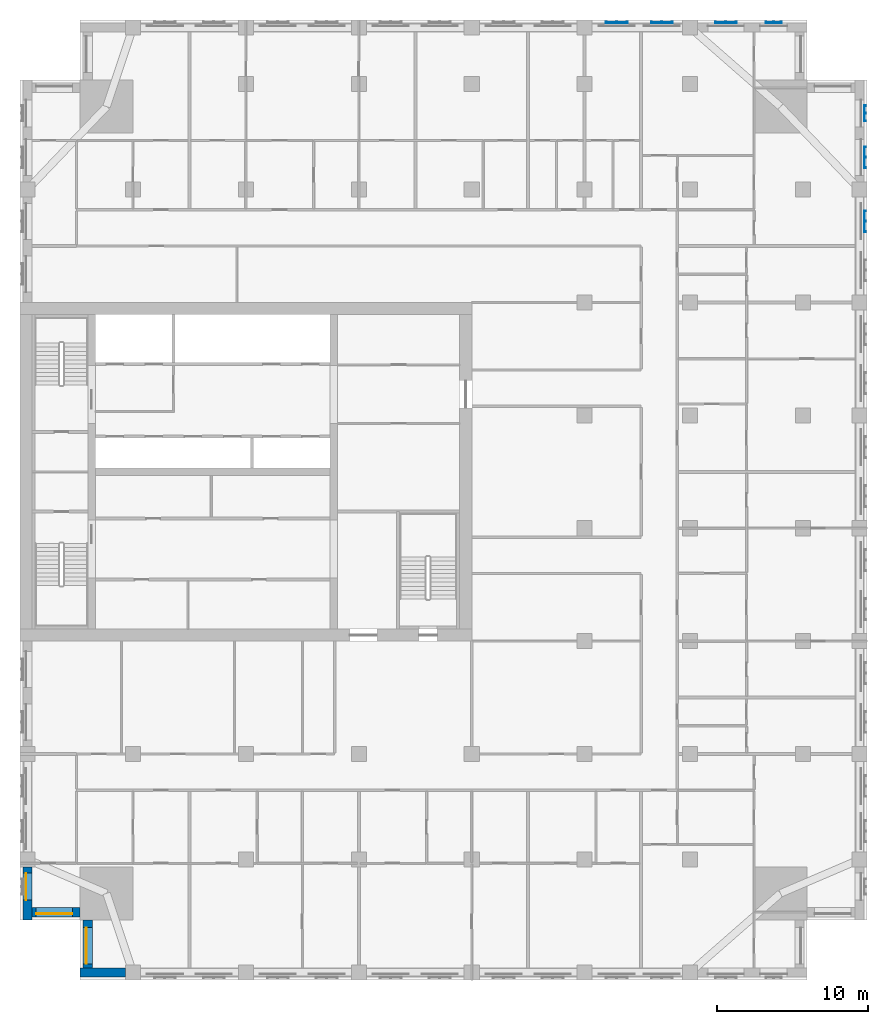
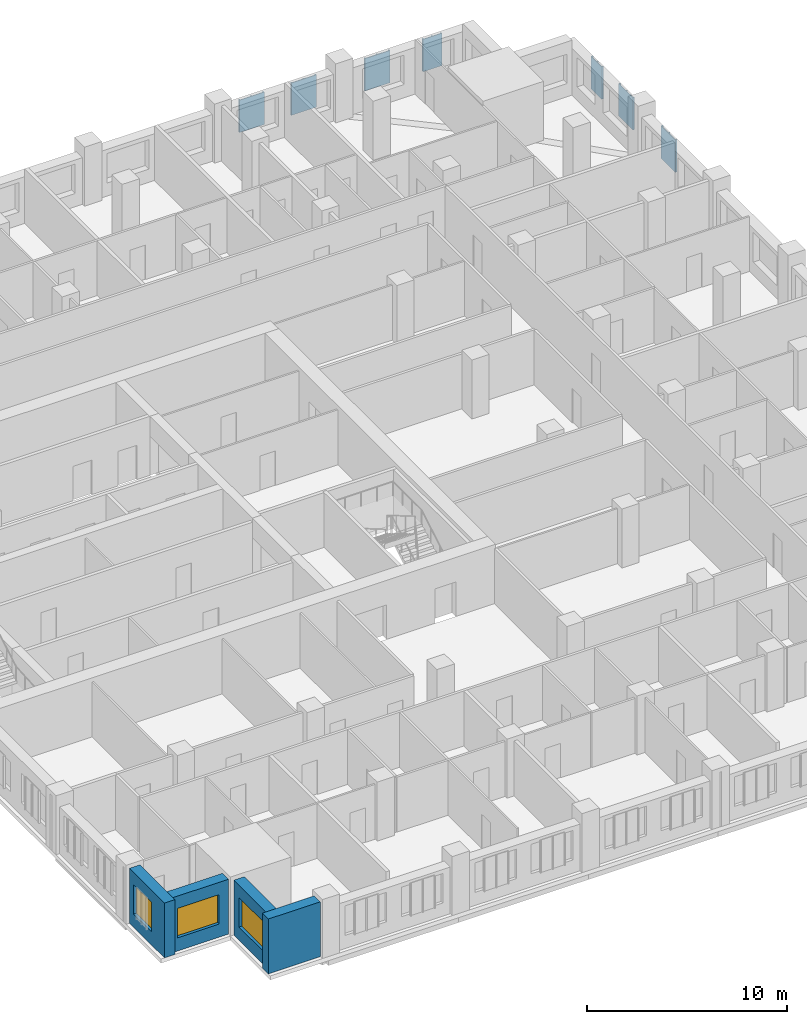
# One storey, part 3 of 14: 7 plates, 4 walls, 3 windows, 3 openings.
"""IFC4 building model written with IfcOpenShell, lengths in metres."""

from ifc_helpers import new_model, si_unit, direction, frame, frame_2d, origin, place, context, subcontext, project, spatial, polyline, rectangle, outline, extrude, material, layer, layer_set, type_object, element, fill, save


model = new_model("IFC4")

# Units and contexts
model_context = context("Model", 3, precision=1e-05, world=origin(), true_north=direction((0.0, 1.0)))
body_context = subcontext(model_context, "Body", "Model", "MODEL_VIEW")
ifc_project = project(units=[si_unit("LENGTHUNIT", "METRE"), si_unit("AREAUNIT", "SQUARE_METRE"), si_unit("VOLUMEUNIT", "CUBIC_METRE"), si_unit("PLANEANGLEUNIT", "RADIAN"), si_unit("MASSUNIT", "GRAM", prefix="KILO")], contexts=[model_context])

# Site, building, storey
site_placement = place(None, origin())
site = spatial("IfcSite", under=ifc_project, at=site_placement, CompositionType="ELEMENT")
building_placement = place(site_placement, origin())
building = spatial("IfcBuilding", under=site, at=building_placement, Name="Tamorin Gate", CompositionType="ELEMENT")
storey_placement = place(building_placement, frame((0.0, 0.0, 151.800048828125)))
storey = spatial("IfcBuildingStorey", under=building, at=storey_placement, Name="L37", CompositionType="ELEMENT", Elevation=151.800048828125)

# Plates
ifc_material_1 = material(Name="Perforated pale aluminium sheet", Category="aluminium")
ifc_layer_1 = layer(ifc_material_1, 0.0400390625)
ifc_layer_set_1 = layer_set([ifc_layer_1], Name="Pale metal solar screen 1080")
plate_type_1 = type_object("IfcPlateType", Name="Pale metal solar screen 1080", PredefinedType="SHEET", material=ifc_layer_set_1)
plate_1_placement = place(storey_placement, frame((0.0, 0.0, 0.7099609375)))
element("IfcPlate", 1, at=plate_1_placement, inside=storey, type_object=plate_type_1, Name="Perforated solar screen", PredefinedType="SHEET", context=body_context, shape_type="SweptSolid", body=[
    extrude(outline(polyline([(86.090087890625, 94.510009765625), (86.050048828125, 94.510009765625), (86.050048828125, 94.570068359375), (86.050048828125, 95.02001953125), (86.050048828125, 95.080078125), (86.050048828125, 95.530029296875), (86.050048828125, 95.590087890625), (86.090087890625, 95.590087890625), (86.14990234375, 95.590087890625), (86.14990234375, 95.530029296875), (86.090087890625, 95.530029296875), (86.090087890625, 95.080078125), (86.14990234375, 95.080078125), (86.14990234375, 95.02001953125), (86.090087890625, 95.02001953125), (86.090087890625, 94.570068359375), (86.14990234375, 94.570068359375), (86.14990234375, 94.510009765625), (86.090087890625, 94.510009765625)])), origin(), (0.0, 0.0, 1.0), 1.97998046875),
])
plate_2_placement = place(storey_placement, frame((0.0, 0.0, 0.7099609375)))
element("IfcPlate", 2, at=plate_2_placement, inside=storey, type_object=plate_type_1, Name="Perforated solar screen", PredefinedType="SHEET", context=body_context, shape_type="SweptSolid", body=[
    extrude(outline(polyline([(80.590087890625, 101.090087890625), (80.590087890625, 101.050048828125), (80.530029296875, 101.050048828125), (80.080078125, 101.050048828125), (80.02001953125, 101.050048828125), (79.570068359375, 101.050048828125), (79.510009765625, 101.050048828125), (79.510009765625, 101.090087890625), (79.510009765625, 101.14990234375), (79.570068359375, 101.14990234375), (79.570068359375, 101.090087890625), (80.02001953125, 101.090087890625), (80.02001953125, 101.14990234375), (80.080078125, 101.14990234375), (80.080078125, 101.090087890625), (80.530029296875, 101.090087890625), (80.530029296875, 101.14990234375), (80.590087890625, 101.14990234375), (80.590087890625, 101.090087890625)])), origin(), (0.0, 0.0, 1.0), 1.97998046875),
])
ifc_layer_2 = layer(ifc_material_1, 0.0400390625)
ifc_layer_set_2 = layer_set([ifc_layer_2], Name="Pale metal solar screen 1440")
plate_type_2 = type_object("IfcPlateType", Name="Pale metal solar screen 1440", PredefinedType="SHEET", material=ifc_layer_set_2)
plate_3_placement = place(storey_placement, frame((0.0, 0.0, 0.7099609375)))
element("IfcPlate", 3, at=plate_3_placement, inside=storey, type_object=plate_type_2, Name="Perforated solar screen", PredefinedType="SHEET", context=body_context, shape_type="SweptSolid", body=[
    extrude(outline(polyline([(86.090087890625, 87.155029296875), (86.050048828125, 87.155029296875), (86.050048828125, 87.215087890625), (86.050048828125, 87.844970703125), (86.050048828125, 87.905029296875), (86.050048828125, 88.534912109375), (86.050048828125, 88.594970703125), (86.090087890625, 88.594970703125), (86.14990234375, 88.594970703125), (86.14990234375, 88.534912109375), (86.090087890625, 88.534912109375), (86.090087890625, 87.905029296875), (86.14990234375, 87.905029296875), (86.14990234375, 87.844970703125), (86.090087890625, 87.844970703125), (86.090087890625, 87.215087890625), (86.14990234375, 87.215087890625), (86.14990234375, 87.155029296875), (86.090087890625, 87.155029296875)])), origin(), (0.0, 0.0, 1.0), 1.97998046875),
])
plate_4_placement = place(storey_placement, frame((0.0, 0.0, 0.7099609375)))
element("IfcPlate", 4, at=plate_4_placement, inside=storey, type_object=plate_type_2, Name="Perforated solar screen", PredefinedType="SHEET", context=body_context, shape_type="SweptSolid", body=[
    extrude(outline(polyline([(86.090087890625, 91.405029296875), (86.050048828125, 91.405029296875), (86.050048828125, 91.465087890625), (86.050048828125, 92.094970703125), (86.050048828125, 92.155029296875), (86.050048828125, 92.784912109375), (86.050048828125, 92.844970703125), (86.090087890625, 92.844970703125), (86.14990234375, 92.844970703125), (86.14990234375, 92.784912109375), (86.090087890625, 92.784912109375), (86.090087890625, 92.155029296875), (86.14990234375, 92.155029296875), (86.14990234375, 92.094970703125), (86.090087890625, 92.094970703125), (86.090087890625, 91.465087890625), (86.14990234375, 91.465087890625), (86.14990234375, 91.405029296875), (86.090087890625, 91.405029296875)])), origin(), (0.0, 0.0, 1.0), 1.97998046875),
])
plate_5_placement = place(storey_placement, frame((0.0, 0.0, 0.7099609375)))
element("IfcPlate", 5, at=plate_5_placement, inside=storey, type_object=plate_type_2, Name="Perforated solar screen", PredefinedType="SHEET", context=body_context, shape_type="SweptSolid", body=[
    extrude(outline(polyline([(77.594970703125, 101.090087890625), (77.594970703125, 101.050048828125), (77.534912109375, 101.050048828125), (76.905029296875, 101.050048828125), (76.844970703125, 101.050048828125), (76.215087890625, 101.050048828125), (76.155029296875, 101.050048828125), (76.155029296875, 101.050048828125), (76.155029296875, 101.090087890625), (76.155029296875, 101.090087890625), (76.155029296875, 101.14990234375), (76.215087890625, 101.14990234375), (76.215087890625, 101.090087890625), (76.844970703125, 101.090087890625), (76.844970703125, 101.14990234375), (76.905029296875, 101.14990234375), (76.905029296875, 101.090087890625), (77.534912109375, 101.090087890625), (77.534912109375, 101.14990234375), (77.594970703125, 101.14990234375), (77.594970703125, 101.090087890625)])), origin(), (0.0, 0.0, 1.0), 1.97998046875),
])
plate_6_placement = place(storey_placement, frame((0.0, 0.0, 0.7099609375)))
element("IfcPlate", 6, at=plate_6_placement, inside=storey, type_object=plate_type_2, Name="Perforated solar screen", PredefinedType="SHEET", context=body_context, shape_type="SweptSolid", body=[
    extrude(outline(polyline([(70.344970703125, 101.090087890625), (70.344970703125, 101.050048828125), (70.284912109375, 101.050048828125), (69.655029296875, 101.050048828125), (69.594970703125, 101.050048828125), (68.965087890625, 101.050048828125), (68.905029296875, 101.050048828125), (68.905029296875, 101.090087890625), (68.905029296875, 101.14990234375), (68.965087890625, 101.14990234375), (68.965087890625, 101.090087890625), (69.594970703125, 101.090087890625), (69.594970703125, 101.14990234375), (69.655029296875, 101.14990234375), (69.655029296875, 101.090087890625), (70.284912109375, 101.090087890625), (70.284912109375, 101.14990234375), (70.344970703125, 101.14990234375), (70.344970703125, 101.090087890625)])), origin(), (0.0, 0.0, 1.0), 1.97998046875),
])
plate_7_placement = place(storey_placement, frame((0.0, 0.0, 0.7099609375)))
element("IfcPlate", 7, at=plate_7_placement, inside=storey, type_object=plate_type_2, Name="Perforated solar screen", PredefinedType="SHEET", context=body_context, shape_type="SweptSolid", body=[
    extrude(outline(polyline([(73.344970703125, 101.090087890625), (73.344970703125, 101.050048828125), (73.284912109375, 101.050048828125), (72.655029296875, 101.050048828125), (72.594970703125, 101.050048828125), (71.965087890625, 101.050048828125), (71.905029296875, 101.050048828125), (71.905029296875, 101.090087890625), (71.905029296875, 101.14990234375), (71.965087890625, 101.14990234375), (71.965087890625, 101.090087890625), (72.594970703125, 101.090087890625), (72.594970703125, 101.14990234375), (72.655029296875, 101.14990234375), (72.655029296875, 101.090087890625), (73.284912109375, 101.090087890625), (73.284912109375, 101.14990234375), (73.344970703125, 101.14990234375), (73.344970703125, 101.090087890625)])), origin(), (0.0, 0.0, 1.0), 1.97998046875),
])

# Wall
ifc_material_2 = material(Name="Precast concrete C40/50", Category="concrete")
ifc_layer_3 = layer(ifc_material_2, 0.60009765625)
ifc_layer_set_3 = layer_set([ifc_layer_3], Name="Precast concrete C40/50")
wall_type = type_object("IfcWallType", Name="Board-marked concrete facade panel 600", PredefinedType="SOLIDWALL", material=ifc_layer_set_3)
wall_1_placement = place(storey_placement, frame((34.0, 38.0, 0.0), z_axis=(0.0, 0.0, 1.0), x_axis=(1.0, 0.0, 0.0)))
element("IfcWall", 8, at=wall_1_placement, inside=storey, type_object=wall_type, Name="Facade panel", PredefinedType="SOLIDWALL", context=body_context, shape_type="SweptSolid", body=[
    extrude(rectangle(XDim=3.0, YDim=0.60009765625, at=frame_2d((1.5, 0.0))), origin(), (0.0, 0.0, 1.0), 3.349853515625),
])

# Wall, opening, window
wall_2_placement = place(storey_placement, frame((30.5, 45.0, 0.0), z_axis=(0.0, 0.0, 1.0), x_axis=(0.0, -1.0, 0.0)))
wall_2 = element("IfcWall", 9, at=wall_2_placement, inside=storey, type_object=wall_type, Name="Facade panel", PredefinedType="SOLIDWALL", context=body_context, shape_type="SweptSolid", body=[
    extrude(rectangle(XDim=3.5, YDim=0.60009765625, at=frame_2d((1.75, 0.0))), origin(), (0.0, 0.0, 1.0), 3.349853515625),
])
opening_1_placement = place(wall_2_placement, frame((0.39990234375, 0.0, 0.800048828125)))
opening_1 = element("IfcOpeningElement", 10, at=opening_1_placement, cuts=wall_2, Name="Opening WN2", PredefinedType="OPENING", context=body_context, shape_type="SweptSolid", body=[
    extrude(rectangle(XDim=1.800048828125, YDim=1.800048828125, at=frame_2d((0.89990234375, 0.89990234375))), frame((0.0, 0.31005859375, 0.0), z_axis=(0.0, -1.0, 0.0), x_axis=(1.0, 0.0, 0.0)), (0.0, 0.0, 1.0), 0.6201171875),
])
ifc_material_3 = material(Name="Clear glass in aluminium frame", Category="aluminium")
window_type_1 = type_object("IfcWindowType", Name="Deep-set window 1800x1800", PartitioningType="SINGLE_PANEL", PredefinedType="WINDOW", material=ifc_material_3)
window_1_placement = place(opening_1_placement, origin())
window_1 = element("IfcWindow", 11, at=window_1_placement, inside=storey, type_object=window_type_1, Name="Deep-set window", OverallHeight=1.800048828125, OverallWidth=1.800048828125, PartitioningType="SINGLE_PANEL", PredefinedType="WINDOW", context=body_context, shape_type="SweptSolid", body=[
    extrude(rectangle(XDim=1.800048828125, YDim=1.800048828125, at=frame_2d((0.89990234375, 0.89990234375))), frame((0.0, -0.070068359375, 0.0), z_axis=(0.0, -1.0, 0.0), x_axis=(1.0, 0.0, 0.0)), (0.0, 0.0, 1.0), 0.06005859375),
])
fill(opening_1, window_1)

wall_3_placement = place(storey_placement, frame((30.800048828125, 42.0, 0.0), z_axis=(0.0, 0.0, 1.0), x_axis=(1.0, 0.0, 0.0)))
wall_3 = element("IfcWall", 12, at=wall_3_placement, inside=storey, type_object=wall_type, Name="Facade panel", PredefinedType="SOLIDWALL", context=body_context, shape_type="SweptSolid", body=[
    extrude(rectangle(XDim=3.199951171875, YDim=0.60009765625, at=frame_2d((1.60009765625, 0.0))), origin(), (0.0, 0.0, 1.0), 3.349853515625),
])
opening_2_placement = place(wall_3_placement, frame((0.27490234375, 0.0, 0.800048828125)))
opening_2 = element("IfcOpeningElement", 13, at=opening_2_placement, cuts=wall_3, Name="Opening WN1", PredefinedType="OPENING", context=body_context, shape_type="SweptSolid", body=[
    extrude(rectangle(XDim=2.39990234375, YDim=1.800048828125, at=frame_2d((1.199951171875, 0.89990234375))), frame((0.0, 0.31005859375, 0.0), z_axis=(0.0, -1.0, 0.0), x_axis=(1.0, 0.0, 0.0)), (0.0, 0.0, 1.0), 0.6201171875),
])
window_type_2 = type_object("IfcWindowType", Name="Deep-set window 2400x1800", PartitioningType="SINGLE_PANEL", PredefinedType="WINDOW", material=ifc_material_3)
window_2_placement = place(opening_2_placement, origin())
window_2 = element("IfcWindow", 14, at=window_2_placement, inside=storey, type_object=window_type_2, Name="Deep-set window", OverallHeight=1.800048828125, OverallWidth=2.39990234375, PartitioningType="SINGLE_PANEL", PredefinedType="WINDOW", context=body_context, shape_type="SweptSolid", body=[
    extrude(rectangle(XDim=2.39990234375, YDim=1.800048828125, at=frame_2d((1.199951171875, 0.89990234375))), frame((0.0, -0.070068359375, 0.0), z_axis=(0.0, -1.0, 0.0), x_axis=(1.0, 0.0, 0.0)), (0.0, 0.0, 1.0), 0.06005859375),
])
fill(opening_2, window_2)

wall_4_placement = place(storey_placement, frame((34.5, 41.5, 0.0), z_axis=(0.0, 0.0, 1.0), x_axis=(0.0, -1.0, 0.0)))
wall_4 = element("IfcWall", 15, at=wall_4_placement, inside=storey, type_object=wall_type, Name="Facade panel", PredefinedType="SOLIDWALL", context=body_context, shape_type="SweptSolid", body=[
    extrude(rectangle(XDim=3.199951171875, YDim=0.60009765625, at=frame_2d((1.60009765625, 0.0))), origin(), (0.0, 0.0, 1.0), 3.349853515625),
])
opening_3_placement = place(wall_4_placement, frame((0.52490234375, 0.0, 0.800048828125)))
opening_3 = element("IfcOpeningElement", 16, at=opening_3_placement, cuts=wall_4, Name="Opening WN1", PredefinedType="OPENING", context=body_context, shape_type="SweptSolid", body=[
    extrude(rectangle(XDim=2.39990234375, YDim=1.800048828125, at=frame_2d((1.199951171875, 0.89990234375))), frame((0.0, 0.31005859375, 0.0), z_axis=(0.0, -1.0, 0.0), x_axis=(1.0, 0.0, 0.0)), (0.0, 0.0, 1.0), 0.6201171875),
])
window_3_placement = place(opening_3_placement, origin())
window_3 = element("IfcWindow", 17, at=window_3_placement, inside=storey, type_object=window_type_2, Name="Deep-set window", OverallHeight=1.800048828125, OverallWidth=2.39990234375, PartitioningType="SINGLE_PANEL", PredefinedType="WINDOW", context=body_context, shape_type="SweptSolid", body=[
    extrude(rectangle(XDim=2.39990234375, YDim=1.800048828125, at=frame_2d((1.199951171875, 0.89990234375))), frame((0.0, -0.070068359375, 0.0), z_axis=(0.0, -1.0, 0.0), x_axis=(1.0, 0.0, 0.0)), (0.0, 0.0, 1.0), 0.06005859375),
])
fill(opening_3, window_3)

save(model, "model.ifc")
